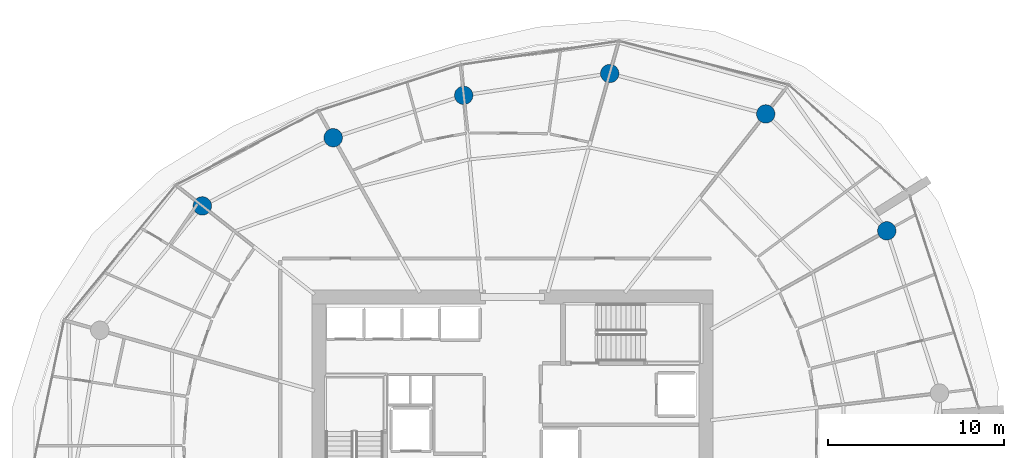
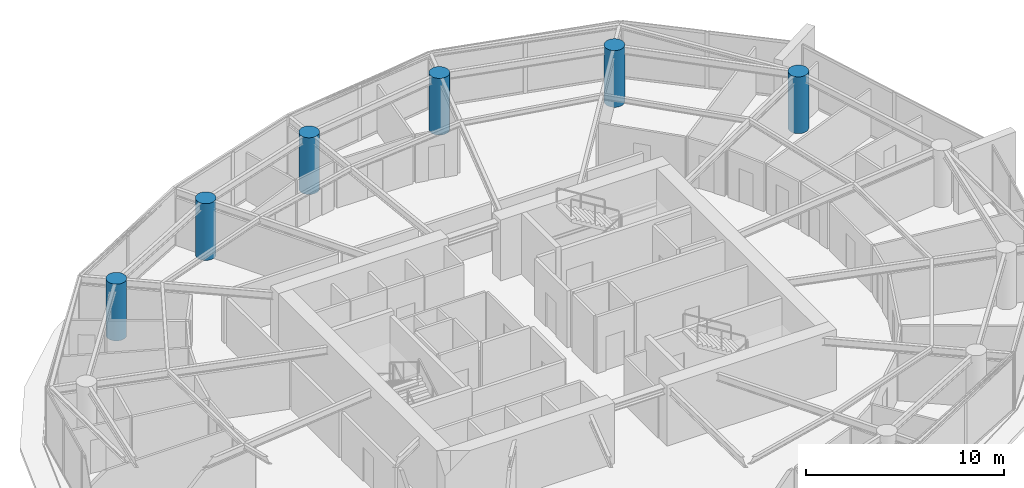
# One storey, part 4 of 17: 6 columns.
"""IFC4 building model written with IfcOpenShell, lengths in metres."""

from ifc_helpers import new_model, si_unit, direction, frame, origin, origin_2d, place, context, subcontext, project, spatial, circle, extrude, material, material_profile, profile_set, type_object, element, save


model = new_model("IFC4")

# Units and contexts
model_context = context("Model", 3, precision=1e-05, world=origin(), true_north=direction((0.0, 1.0)))
body_context = subcontext(model_context, "Body", "Model", "MODEL_VIEW")
ifc_project = project(units=[si_unit("LENGTHUNIT", "METRE"), si_unit("AREAUNIT", "SQUARE_METRE"), si_unit("VOLUMEUNIT", "CUBIC_METRE"), si_unit("PLANEANGLEUNIT", "RADIAN"), si_unit("MASSUNIT", "GRAM", prefix="KILO")], contexts=[model_context])

# Site, building, storey
site_placement = place(None, origin())
site = spatial("IfcSite", under=ifc_project, at=site_placement, CompositionType="ELEMENT")
building_placement = place(site_placement, origin())
building = spatial("IfcBuilding", under=site, at=building_placement, Name="Kazma Halo Residences", CompositionType="ELEMENT")
storey_placement = place(building_placement, frame((0.0, 0.0, 127.800048828125)))
storey = spatial("IfcBuildingStorey", under=building, at=storey_placement, Name="L31", CompositionType="ELEMENT", Elevation=127.800048828125)

# Columns
ifc_material = material(Name="Concrete C80/95", Category="concrete")
ifc_material_profile = material_profile(ifc_material, circle(Radius=0.52490234375, at=origin_2d()), Name="CIRC1050")
ifc_profile_set = profile_set([ifc_material_profile], Name="Concrete C80/95")
column_type = type_object("IfcColumnType", Name="COL-PERIM-1050", PredefinedType="COLUMN", material=ifc_profile_set)
for number, where, z_axis, x_axis, name in (
    (1, (69.730224609375, 54.16943359375, 0.0), (0.0, 0.0, 1.0), (1.0, 0.0, 0.0), "L31 perimeter ring column P01"),
    (2, (62.839599609375, 60.82373046875, 0.0), (0.0, 0.0, 1.0), (1.0, 0.0, 0.0), "L31 perimeter ring column P02"),
    (3, (53.95703125, 63.121826171875, 0.0), (0.0, 0.0, 1.0), (1.0, 0.0, 0.0), "L31 perimeter ring column P03"),
    (4, (45.64697265625, 61.881103515625, 0.0), (0.0, 0.0, 1.0), (1.0, 0.0, 0.0), "L31 perimeter ring column P04"),
    (5, (38.218017578125, 59.46728515625, 0.0), (0.0, 0.0, 1.0), (1.0, 0.0, 0.0), "L31 perimeter ring column P05"),
    (6, (30.765625, 55.58642578125, 0.0), (0.0, 0.0, 1.0), (1.0, 0.0, 0.0), "L31 perimeter ring column P06"),
):
    element("IfcColumn", number, at=place(storey_placement, frame(where, z_axis=z_axis, x_axis=x_axis)), inside=storey, type_object=column_type, Name=name, PredefinedType="COLUMN", context=body_context, shape_type="SweptSolid", body=[
        extrude(circle(Radius=0.52490234375, at=origin_2d()), origin(), (0.0, 0.0, 1.0), 3.5),
    ])

save(model, "model.ifc")
